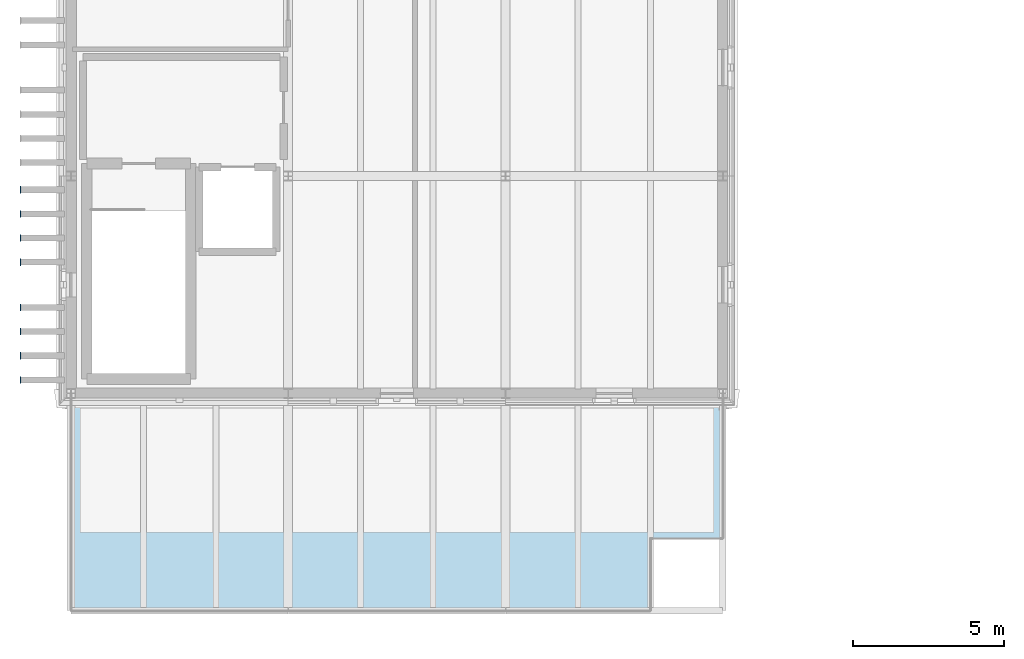
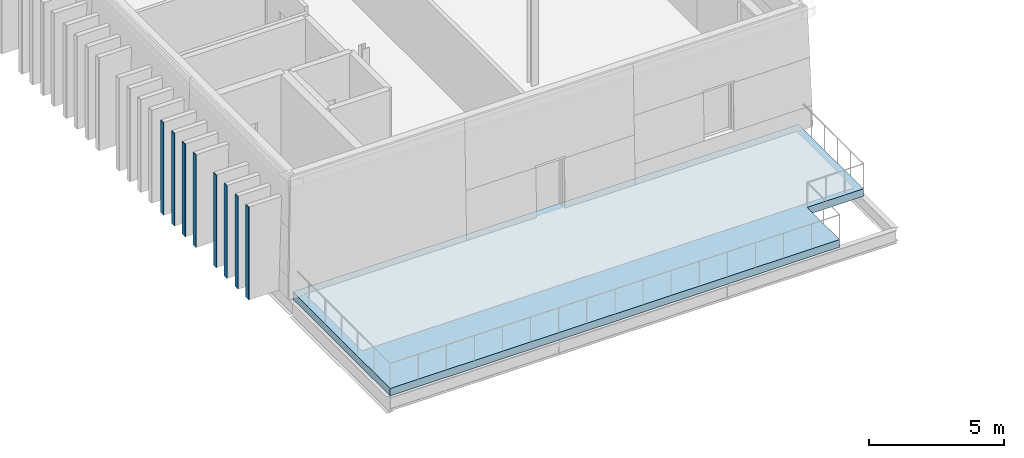
# One storey, part 11 of 44: 8 plates, 1 slab.
"""IFC4 building model written with IfcOpenShell, lengths in metres."""

from ifc_helpers import new_model, si_unit, direction, frame, origin, origin_2d, place, context, subcontext, project, spatial, polyline, rectangle, outline, extrude, material, layer, layer_set, type_object, element, save


model = new_model("IFC4")

# Units and contexts
model_context = context("Model", 3, precision=1e-05, world=origin(), true_north=direction((0.0, 1.0)))
body_context = subcontext(model_context, "Body", "Model", "MODEL_VIEW")
ifc_project = project(units=[si_unit("LENGTHUNIT", "METRE"), si_unit("AREAUNIT", "SQUARE_METRE"), si_unit("VOLUMEUNIT", "CUBIC_METRE"), si_unit("PLANEANGLEUNIT", "RADIAN"), si_unit("MASSUNIT", "GRAM", prefix="KILO")], contexts=[model_context])

# Site, building, storey
site_placement = place(None, origin())
site = spatial("IfcSite", under=ifc_project, at=site_placement, CompositionType="ELEMENT")
building_placement = place(site_placement, origin())
building = spatial("IfcBuilding", under=site, at=building_placement, Name="Narikvali Park Central Library", CompositionType="ELEMENT")
storey_placement = place(building_placement, frame((0.0, 0.0, 22.800048828125)))
storey = spatial("IfcBuildingStorey", under=building, at=storey_placement, Name="L05", CompositionType="ELEMENT", Elevation=22.800048828125)

# Slab
ifc_material_1 = material(Name="Concrete C35/45", Category="concrete")
ifc_layer_1 = layer(ifc_material_1, 0.340087890625, Name="Concrete C35/45")
ifc_layer_set_1 = layer_set([ifc_layer_1], Name="Concrete C35/45")
slab_type = type_object("IfcSlabType", Name="Planted Roof Garden Structural Deck 340", PredefinedType="ROOF", material=ifc_layer_set_1)
slab_placement = place(storey_placement, frame((0.0, 0.0, -0.340087890625)))
element("IfcSlab", 1, at=slab_placement, inside=storey, type_object=slab_type, Name="V5 L05 Planted Roof Garden Deck", PredefinedType="ROOF", context=body_context, shape_type="SweptSolid", body=[
    extrude(outline(polyline([(0.0, 36.0), (19.199951171875, 36.0), (19.199951171875, 38.39990234375), (21.60009765625, 38.39990234375), (21.60009765625, 43.199951171875), (0.0, 43.199951171875), (0.0, 36.0)])), origin(), (0.0, 0.0, 1.0), 0.340087890625),
])

# Plates
ifc_material_2 = material(Name="Anodised Bronze Aluminium", Category="aluminium")
ifc_layer_2 = layer(ifc_material_2, 0.028076171875, Name="Anodised Bronze Aluminium")
ifc_layer_set_2 = layer_set([ifc_layer_2], Name="Anodised Bronze Aluminium")
plate_type = type_object("IfcPlateType", Name="Vertical Brick Fin Bronze Bullnose Cap 28", PredefinedType="SHEET", material=ifc_layer_set_2)
for number, where, z_axis, x_axis, name in (
    (2, (-1.672119140625, 43.64990234375, 0.009765625), (0.0, 0.0, 1.0), (1.0, 0.0, 0.0), "West Stacks Fin Bullnose Trim 078"),
    (3, (-1.672119140625, 44.449951171875, 0.009765625), (0.0, 0.0, 1.0), (1.0, 0.0, 0.0), "West Stacks Fin Bullnose Trim 084"),
    (4, (-1.672119140625, 45.25, 0.009765625), (0.0, 0.0, 1.0), (1.0, 0.0, 0.0), "West Stacks Fin Bullnose Trim 090"),
    (5, (-1.672119140625, 46.050048828125, 0.009765625), (0.0, 0.0, 1.0), (1.0, 0.0, 0.0), "West Stacks Fin Bullnose Trim 096"),
    (6, (-1.672119140625, 47.550048828125, 0.009765625), (0.0, 0.0, 1.0), (1.0, 0.0, 0.0), "West Stacks Fin Bullnose Trim 102"),
    (7, (-1.672119140625, 48.35009765625, 0.009765625), (0.0, 0.0, 1.0), (1.0, 0.0, 0.0), "West Stacks Fin Bullnose Trim 108"),
    (8, (-1.672119140625, 49.14990234375, 0.009765625), (0.0, 0.0, 1.0), (1.0, 0.0, 0.0), "West Stacks Fin Bullnose Trim 114"),
    (9, (-1.672119140625, 49.949951171875, 0.009765625), (0.0, 0.0, 1.0), (1.0, 0.0, 0.0), "West Stacks Fin Bullnose Trim 120"),
):
    element("IfcPlate", number, at=place(storey_placement, frame(where, z_axis=z_axis, x_axis=x_axis)), inside=storey, type_object=plate_type, Name=name, PredefinedType="SHEET", context=body_context, shape_type="SweptSolid", body=[
        extrude(rectangle(XDim=0.028076171875, YDim=0.219970703125, at=origin_2d()), origin(), (0.0, 0.0, 1.0), 4.179931640625),
    ])

save(model, "model.ifc")
